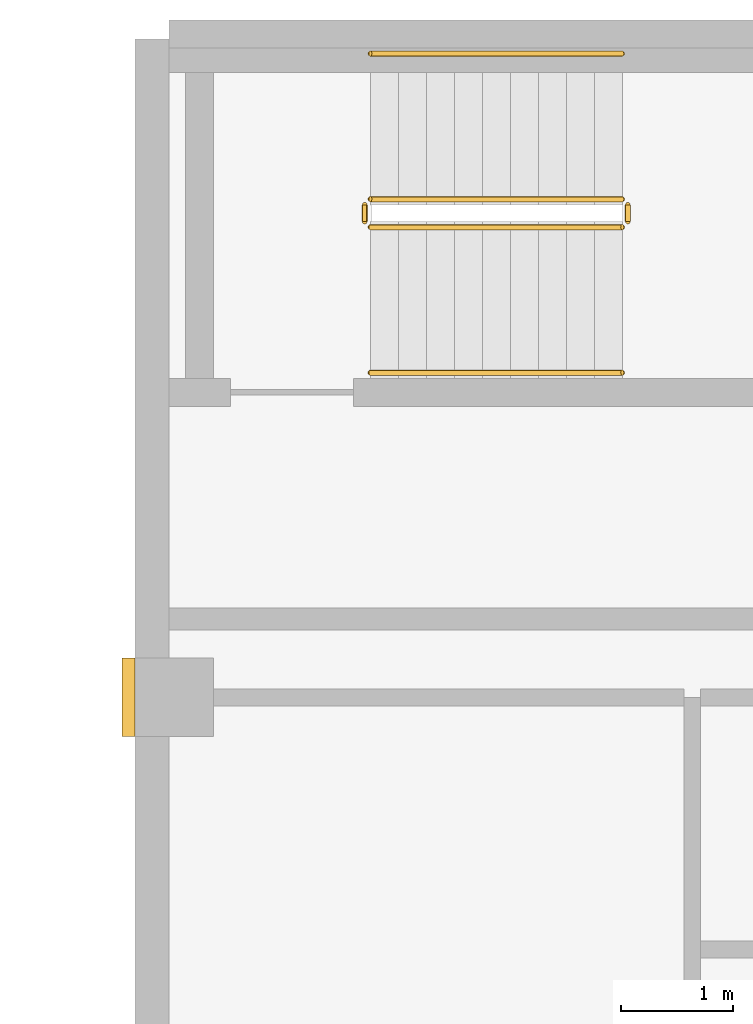
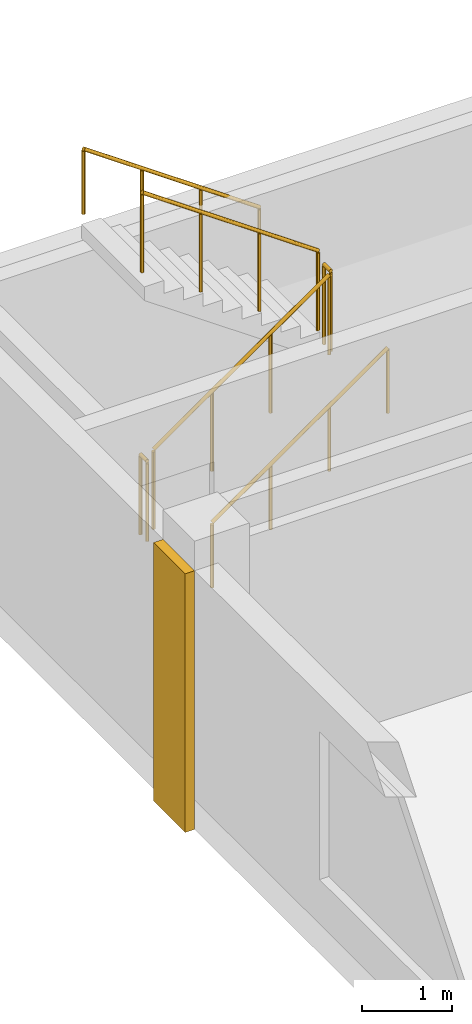
# One storey, part 9 of 9: 6 railings, 1 covering.
"""IFC4 building model written with IfcOpenShell, lengths in metres."""

from ifc_helpers import new_model, si_unit, direction, frame, origin, origin_2d, place, context, subcontext, project, spatial, rectangle, circle, extrude, source, transform, mapped, material, type_object, element, save


model = new_model("IFC4")

# Units and contexts
model_context = context("Model", 3, precision=1e-05, world=origin(), true_north=direction((0.0, 1.0)))
body_context = subcontext(model_context, "Body", "Model", "MODEL_VIEW")
ifc_project = project(units=[si_unit("LENGTHUNIT", "METRE"), si_unit("AREAUNIT", "SQUARE_METRE"), si_unit("VOLUMEUNIT", "CUBIC_METRE"), si_unit("PLANEANGLEUNIT", "RADIAN"), si_unit("MASSUNIT", "GRAM", prefix="KILO")], contexts=[model_context])

# Site, building, storey
site_placement = place(None, origin())
site = spatial("IfcSite", under=ifc_project, at=site_placement, CompositionType="ELEMENT")
building_placement = place(site_placement, origin())
building = spatial("IfcBuilding", under=site, at=building_placement, Name="Aurelian Terraces", CompositionType="ELEMENT")
storey_placement = place(building_placement, frame((0.0, 0.0, 305.5)))
storey = spatial("IfcBuildingStorey", under=building, at=storey_placement, Name="L70", CompositionType="ELEMENT", Elevation=305.5)

# Covering
ifc_material_1 = material(Name="Terracotta rainscreen cladding relief", Category="masonry")
covering_type = type_object("IfcCoveringType", Name="BAGUETTE-TC", PredefinedType="CLADDING", material=ifc_material_1)
shared_shape_1 = source(origin(), body_context, "Body", "SweptSolid", [
    extrude(rectangle(XDim=0.12, YDim=0.7, at=origin_2d()), origin(), (0.0, 0.0, 1.0), 3.5),
])
covering_placement = place(storey_placement, frame((10.44, 37.8, -0.4), z_axis=(0.0, 0.0, 1.0), x_axis=(1.0, 0.0, 0.0)))
element("IfcCovering", 1, at=covering_placement, inside=storey, type_object=covering_type, Name="BAGUETTE pier L70 6", PredefinedType="CLADDING", context=body_context, shape_type="MappedRepresentation", body=[
    mapped(shared_shape_1, transform((0.0, 0.0, 0.0), scale=1.0)),
])

# Railings
ifc_material_2 = material(Name="Stainless steel", Category="steel")
railing_type_1 = type_object("IfcRailingType", Name="Stair guard 1100", PredefinedType="GUARDRAIL", material=ifc_material_2)
shared_shape_2 = source(origin(), body_context, "Body", "SweptSolid", [
    extrude(circle(Radius=0.024, at=origin_2d()), frame((0.0, 0.0, 1.076), z_axis=(0.0, 1.0, 0.0), x_axis=(-1.0, 0.0, 0.0)), (0.0, 0.0, 1.0), 0.15),
    extrude(circle(Radius=0.021, at=origin_2d()), origin(), (0.0, 0.0, 1.0), 1.052),
    extrude(circle(Radius=0.021, at=origin_2d()), frame((0.0, 0.15, 0.0)), (0.0, 0.0, 1.0), 1.052),
])
for number, where, name in (
    (2, (14.9, 42.05, 1.75), "L70 S3U stair guard 2"),
    (3, (12.55, 42.05, 0.0), "L70 S3U stair guard 4"),
):
    element("IfcRailing", number, at=place(storey_placement, frame(where)), inside=storey, type_object=railing_type_1, Name=name, PredefinedType="GUARDRAIL", context=body_context, shape_type="MappedRepresentation", body=[
        mapped(shared_shape_2, transform((0.0, 0.0, 0.0), scale=1.0)),
    ])
shared_shape_3 = source(origin(), body_context, "Body", "SweptSolid", [
    extrude(circle(Radius=0.024, at=origin_2d()), frame((0.0, 0.0, 1.076), z_axis=(0.819231920519, 0.0, 0.573462344363), x_axis=(0.0, 1.0, 0.0)), (0.0, 0.0, 1.0), 2.7465),
    extrude(circle(Radius=0.021, at=origin_2d()), origin(), (0.0, 0.0, 1.0), 1.052),
    extrude(circle(Radius=0.021, at=origin_2d()), frame((0.75, 0.0, 0.525)), (0.0, 0.0, 1.0), 1.052),
    extrude(circle(Radius=0.021, at=origin_2d()), frame((1.5, 0.0, 1.05)), (0.0, 0.0, 1.0), 1.052),
    extrude(circle(Radius=0.021, at=origin_2d()), frame((2.25, 0.0, 1.575)), (0.0, 0.0, 1.0), 1.052),
])
railing_1_placement = place(storey_placement, frame((12.6, 42.0, 0.175)))
element("IfcRailing", 4, at=railing_1_placement, inside=storey, type_object=railing_type_1, Name="L70 S3U stair guard 1", PredefinedType="GUARDRAIL", context=body_context, shape_type="MappedRepresentation", body=[
    mapped(shared_shape_3, transform((0.0, 0.0, 0.0), scale=1.0)),
])
shared_shape_4 = source(origin(), body_context, "Body", "SweptSolid", [
    extrude(circle(Radius=0.024, at=origin_2d()), frame((0.0, 0.0, 1.076), z_axis=(-0.819231920519, 0.0, 0.573462344363), x_axis=(0.0, -1.0, 0.0)), (0.0, 0.0, 1.0), 2.7465),
    extrude(circle(Radius=0.021, at=origin_2d()), origin(), (0.0, 0.0, 1.0), 1.052),
    extrude(circle(Radius=0.021, at=origin_2d()), frame((-0.75, 0.0, 0.525)), (0.0, 0.0, 1.0), 1.052),
    extrude(circle(Radius=0.021, at=origin_2d()), frame((-1.5, 0.0, 1.05)), (0.0, 0.0, 1.0), 1.052),
    extrude(circle(Radius=0.021, at=origin_2d()), frame((-2.25, 0.0, 1.575)), (0.0, 0.0, 1.0), 1.052),
])
railing_2_placement = place(storey_placement, frame((14.85, 42.25, 1.925)))
element("IfcRailing", 5, at=railing_2_placement, inside=storey, type_object=railing_type_1, Name="L70 S3U stair guard 3", PredefinedType="GUARDRAIL", context=body_context, shape_type="MappedRepresentation", body=[
    mapped(shared_shape_4, transform((0.0, 0.0, 0.0), scale=1.0)),
])
railing_type_2 = type_object("IfcRailingType", Name="Stair handrail", PredefinedType="HANDRAIL", material=ifc_material_2)
shared_shape_5 = source(origin(), body_context, "Body", "SweptSolid", [
    extrude(circle(Radius=0.024, at=origin_2d()), frame((0.0, 0.0, 0.876), z_axis=(0.819231920519, 0.0, 0.573462344363), x_axis=(0.0, 1.0, 0.0)), (0.0, 0.0, 1.0), 2.7465),
    extrude(circle(Radius=0.021, at=origin_2d()), origin(), (0.0, 0.0, 1.0), 0.852),
    extrude(circle(Radius=0.021, at=origin_2d()), frame((0.75, 0.0, 0.525)), (0.0, 0.0, 1.0), 0.852),
    extrude(circle(Radius=0.021, at=origin_2d()), frame((1.5, 0.0, 1.05)), (0.0, 0.0, 1.0), 0.852),
    extrude(circle(Radius=0.021, at=origin_2d()), frame((2.25, 0.0, 1.575)), (0.0, 0.0, 1.0), 0.852),
])
railing_3_placement = place(storey_placement, frame((12.6, 40.7, 0.175)))
element("IfcRailing", 6, at=railing_3_placement, inside=storey, type_object=railing_type_2, Name="L70 S3U stair handrail 1", PredefinedType="HANDRAIL", context=body_context, shape_type="MappedRepresentation", body=[
    mapped(shared_shape_5, transform((0.0, 0.0, 0.0), scale=1.0)),
])
shared_shape_6 = source(origin(), body_context, "Body", "SweptSolid", [
    extrude(circle(Radius=0.024, at=origin_2d()), frame((0.0, 0.0, 0.876), z_axis=(-0.819231920519, 0.0, 0.573462344363), x_axis=(0.0, -1.0, 0.0)), (0.0, 0.0, 1.0), 2.7465),
    extrude(circle(Radius=0.021, at=origin_2d()), origin(), (0.0, 0.0, 1.0), 0.852),
    extrude(circle(Radius=0.021, at=origin_2d()), frame((-0.75, 0.0, 0.525)), (0.0, 0.0, 1.0), 0.852),
    extrude(circle(Radius=0.021, at=origin_2d()), frame((-1.5, 0.0, 1.05)), (0.0, 0.0, 1.0), 0.852),
    extrude(circle(Radius=0.021, at=origin_2d()), frame((-2.25, 0.0, 1.575)), (0.0, 0.0, 1.0), 0.852),
])
railing_4_placement = place(storey_placement, frame((14.85, 43.55, 1.925)))
element("IfcRailing", 7, at=railing_4_placement, inside=storey, type_object=railing_type_2, Name="L70 S3U stair handrail 2", PredefinedType="HANDRAIL", context=body_context, shape_type="MappedRepresentation", body=[
    mapped(shared_shape_6, transform((0.0, 0.0, 0.0), scale=1.0)),
])

save(model, "model.ifc")
